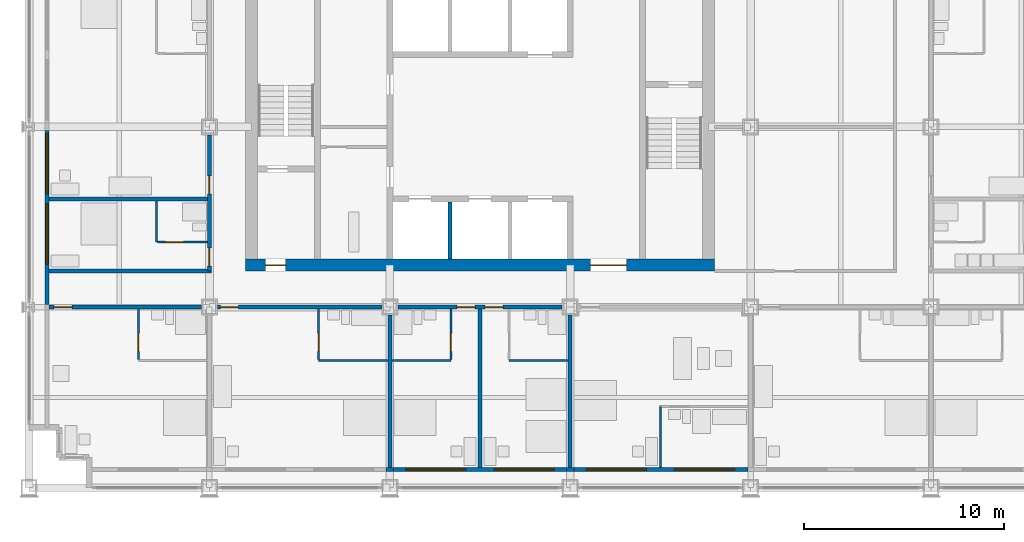
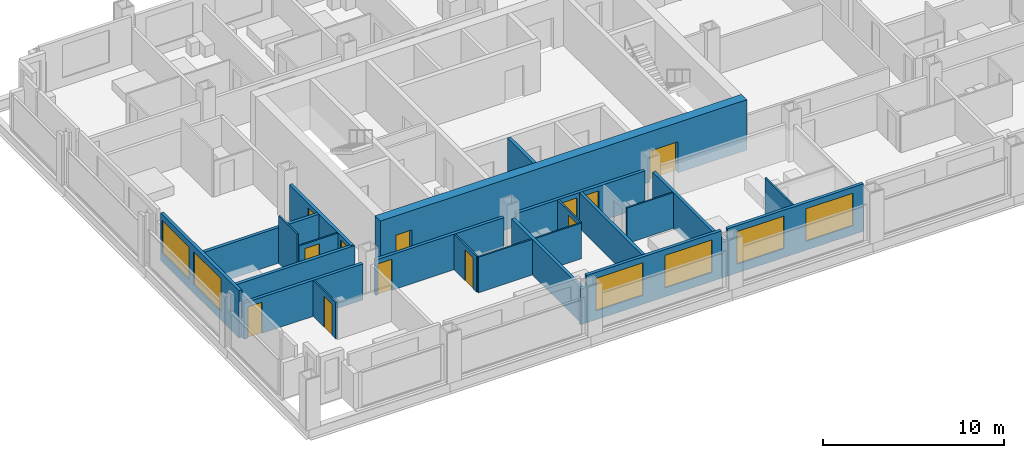
# One storey, part 10 of 18: 25 walls, 12 doors, 6 windows, 18 openings.
"""IFC4 building model written with IfcOpenShell, lengths in metres."""

from ifc_helpers import new_model, si_unit, direction, frame, frame_2d, origin, place, context, subcontext, project, spatial, rectangle, extrude, material, layer, layer_set, type_object, element, fill, save


model = new_model("IFC4")

# Units and contexts
model_context = context("Model", 3, precision=1e-05, world=origin(), true_north=direction((0.0, 1.0)))
body_context = subcontext(model_context, "Body", "Model", "MODEL_VIEW")
ifc_project = project(units=[si_unit("LENGTHUNIT", "METRE"), si_unit("AREAUNIT", "SQUARE_METRE"), si_unit("VOLUMEUNIT", "CUBIC_METRE"), si_unit("PLANEANGLEUNIT", "RADIAN"), si_unit("MASSUNIT", "GRAM", prefix="KILO")], contexts=[model_context])

# Site, building, storey
site_placement = place(None, origin())
site = spatial("IfcSite", under=ifc_project, at=site_placement, CompositionType="ELEMENT")
building_placement = place(site_placement, origin())
building = spatial("IfcBuilding", under=site, at=building_placement, Name="Loomwork Tower", CompositionType="ELEMENT")
storey_placement = place(building_placement, frame((0.0, 0.0, 62.0)))
storey = spatial("IfcBuildingStorey", under=building, at=storey_placement, Name="L15", CompositionType="ELEMENT", Elevation=62.0)

# Wall, openings, doors
ifc_material_1 = material(Name="Concrete 14000 psi (97 MPa)", Category="concrete")
ifc_layer_1 = layer(ifc_material_1, 0.60009765625)
ifc_layer_set_1 = layer_set([ifc_layer_1], Name="Core shear wall 600")
wall_type_1 = type_object("IfcWallType", Name="Core shear wall 600", PredefinedType="SHEAR", material=ifc_layer_set_1)
wall_1_placement = place(storey_placement, frame((10.800048828125, 11.10009765625, 0.0), z_axis=(0.0, 0.0, 1.0), x_axis=(1.0, 0.0, 0.0)))
wall_1 = element("IfcWall", 1, at=wall_1_placement, inside=storey, type_object=wall_type_1, Name="Core wall south L15", PredefinedType="SHEAR", context=body_context, shape_type="SweptSolid", body=[
    extrude(rectangle(XDim=23.39990234375, YDim=0.60009765625, at=frame_2d((11.699951171875, 0.0))), origin(), (0.0, 0.0, 1.0), 3.39990234375),
])
opening_1_placement = place(wall_1_placement, frame((1.0, 0.0, 0.0)))
opening_1 = element("IfcOpeningElement", 2, at=opening_1_placement, cuts=wall_1, Name="Opening D4", PredefinedType="OPENING", context=body_context, shape_type="SweptSolid", body=[
    extrude(rectangle(XDim=1.0, YDim=2.10009765625, at=frame_2d((0.5, 1.050048828125))), frame((0.0, 0.31005859375, 0.0), z_axis=(0.0, -1.0, 0.0), x_axis=(1.0, 0.0, 0.0)), (0.0, 0.0, 1.0), 0.6201171875),
])
opening_2_placement = place(wall_1_placement, frame((17.199951171875, 0.0, 0.0)))
opening_2 = element("IfcOpeningElement", 3, at=opening_2_placement, cuts=wall_1, Name="Opening D6", PredefinedType="OPENING", context=body_context, shape_type="SweptSolid", body=[
    extrude(rectangle(XDim=1.800048828125, YDim=2.10009765625, at=frame_2d((0.89990234375, 1.050048828125))), frame((0.0, 0.31005859375, 0.0), z_axis=(0.0, -1.0, 0.0), x_axis=(1.0, 0.0, 0.0)), (0.0, 0.0, 1.0), 0.6201171875),
])
ifc_material_2 = material(Name="Hollow metal door and frame")
door_type_1 = type_object("IfcDoorType", Name="Lobby passage double door 1800", OperationType="DOUBLE_DOOR_SINGLE_SWING", PredefinedType="DOOR", material=ifc_material_2)
door_1_placement = place(opening_2_placement, origin())
door_1 = element("IfcDoor", 4, at=door_1_placement, inside=storey, type_object=door_type_1, Name="Lobby passage door south", OperationType="DOUBLE_DOOR_SINGLE_SWING", OverallHeight=2.10009765625, OverallWidth=1.800048828125, PredefinedType="DOOR", context=body_context, shape_type="SweptSolid", body=[
    extrude(rectangle(XDim=1.800048828125, YDim=2.10009765625, at=frame_2d((0.89990234375, 1.050048828125))), frame((0.0, 0.02490234375, 0.0), z_axis=(0.0, -1.0, 0.0), x_axis=(1.0, 0.0, 0.0)), (0.0, 0.0, 1.0), 0.050048828125),
])
fill(opening_2, door_1)
ifc_material_3 = material(Name="Hollow metal door and frame")
door_type_2 = type_object("IfcDoorType", Name="Stair door 1000", OperationType="SINGLE_SWING_RIGHT", PredefinedType="DOOR", material=ifc_material_3)
door_2_placement = place(opening_1_placement, origin())
door_2 = element("IfcDoor", 5, at=door_2_placement, inside=storey, type_object=door_type_2, Name="Stair A vestibule door", OperationType="SINGLE_SWING_LEFT", OverallHeight=2.10009765625, OverallWidth=1.0, PredefinedType="DOOR", context=body_context, shape_type="SweptSolid", body=[
    extrude(rectangle(XDim=1.0, YDim=2.10009765625, at=frame_2d((0.5, 1.050048828125))), frame((0.0, 0.02490234375, 0.0), z_axis=(0.0, -1.0, 0.0), x_axis=(1.0, 0.0, 0.0)), (0.0, 0.0, 1.0), 0.050048828125),
])
fill(opening_1, door_2)

# Wall, opening, door
ifc_material_4 = material(Name="Gypsum board on steel studs, one-hour", Category="steel")
ifc_layer_2 = layer(ifc_material_4, 0.199951171875)
ifc_layer_set_2 = layer_set([ifc_layer_2], Name="Corridor wall 200")
wall_type_2 = type_object("IfcWallType", Name="Corridor wall 200", PredefinedType="PARTITIONING", material=ifc_layer_set_2)
wall_2_placement = place(storey_placement, frame((1.0, 9.0, 0.0), z_axis=(0.0, 0.0, 1.0), x_axis=(1.0, 0.0, 0.0)))
wall_2 = element("IfcWall", 6, at=wall_2_placement, inside=storey, type_object=wall_type_2, Name="South corridor wall 1", PredefinedType="PARTITIONING", context=body_context, shape_type="SweptSolid", body=[
    extrude(rectangle(XDim=7.60009765625, YDim=0.199951171875, at=frame_2d((3.800048828125, 0.0))), origin(), (0.0, 0.0, 1.0), 2.43798828125),
])
opening_3_placement = place(wall_2_placement, frame((0.25, 0.0, 0.0)))
opening_3 = element("IfcOpeningElement", 7, at=opening_3_placement, cuts=wall_2, Name="Opening D1", PredefinedType="OPENING", context=body_context, shape_type="SweptSolid", body=[
    extrude(rectangle(XDim=0.89990234375, YDim=2.10009765625, at=frame_2d((0.449951171875, 1.050048828125))), frame((0.0, 0.10986328125, 0.0), z_axis=(0.0, -1.0, 0.0), x_axis=(1.0, 0.0, 0.0)), (0.0, 0.0, 1.0), 0.219970703125),
])
ifc_material_5 = material(Name="Hollow metal door and frame")
door_type_3 = type_object("IfcDoorType", Name="Guest room entry door 900", OperationType="SINGLE_SWING_LEFT", PredefinedType="DOOR", material=ifc_material_5)
door_3_placement = place(opening_3_placement, frame((0.89990234375, 0.0, 0.0), z_axis=(0.0, 0.0, 1.0), x_axis=(-1.0, 0.0, 0.0)))
door_3 = element("IfcDoor", 8, at=door_3_placement, inside=storey, type_object=door_type_3, Name="Guest room entry door L15 1", OperationType="SINGLE_SWING_RIGHT", OverallHeight=2.10009765625, OverallWidth=0.89990234375, PredefinedType="DOOR", context=body_context, shape_type="SweptSolid", body=[
    extrude(rectangle(XDim=0.89990234375, YDim=2.10009765625, at=frame_2d((0.449951171875, 1.050048828125))), frame((0.0, 0.02490234375, 0.0), z_axis=(0.0, -1.0, 0.0), x_axis=(1.0, 0.0, 0.0)), (0.0, 0.0, 1.0), 0.050048828125),
])
fill(opening_3, door_3)

wall_3_placement = place(storey_placement, frame((9.39990234375, 9.0, 0.0), z_axis=(0.0, 0.0, 1.0), x_axis=(1.0, 0.0, 0.0)))
wall_3 = element("IfcWall", 9, at=wall_3_placement, inside=storey, type_object=wall_type_2, Name="South corridor wall 2", PredefinedType="PARTITIONING", context=body_context, shape_type="SweptSolid", body=[
    extrude(rectangle(XDim=8.2001953125, YDim=0.199951171875, at=frame_2d((4.10009765625, 0.0))), origin(), (0.0, 0.0, 1.0), 2.405029296875),
])
opening_4_placement = place(wall_3_placement, frame((0.14990234375, 0.0, 0.0)))
opening_4 = element("IfcOpeningElement", 10, at=opening_4_placement, cuts=wall_3, Name="Opening D1", PredefinedType="OPENING", context=body_context, shape_type="SweptSolid", body=[
    extrude(rectangle(XDim=0.89990234375, YDim=2.10009765625, at=frame_2d((0.449951171875, 1.050048828125))), frame((0.0, 0.10986328125, 0.0), z_axis=(0.0, -1.0, 0.0), x_axis=(1.0, 0.0, 0.0)), (0.0, 0.0, 1.0), 0.219970703125),
])
door_4_placement = place(opening_4_placement, frame((0.89990234375, 0.0, 0.0), z_axis=(0.0, 0.0, 1.0), x_axis=(-1.0, 0.0, 0.0)))
door_4 = element("IfcDoor", 11, at=door_4_placement, inside=storey, type_object=door_type_3, Name="Guest room entry door L15 2", OperationType="SINGLE_SWING_RIGHT", OverallHeight=2.10009765625, OverallWidth=0.89990234375, PredefinedType="DOOR", context=body_context, shape_type="SweptSolid", body=[
    extrude(rectangle(XDim=0.89990234375, YDim=2.10009765625, at=frame_2d((0.449951171875, 1.050048828125))), frame((0.0, 0.02490234375, 0.0), z_axis=(0.0, -1.0, 0.0), x_axis=(1.0, 0.0, 0.0)), (0.0, 0.0, 1.0), 0.050048828125),
])
fill(opening_4, door_4)

# Wall, openings, doors
wall_4_placement = place(storey_placement, frame((18.39990234375, 9.0, 0.0), z_axis=(0.0, 0.0, 1.0), x_axis=(1.0, 0.0, 0.0)))
wall_4 = element("IfcWall", 12, at=wall_4_placement, inside=storey, type_object=wall_type_2, Name="South corridor wall 3", PredefinedType="PARTITIONING", context=body_context, shape_type="SweptSolid", body=[
    extrude(rectangle(XDim=8.2001953125, YDim=0.199951171875, at=frame_2d((4.10009765625, 0.0))), origin(), (0.0, 0.0, 1.0), 2.405029296875),
])
opening_5_placement = place(wall_4_placement, frame((2.949951171875, 0.0, 0.0)))
opening_5 = element("IfcOpeningElement", 13, at=opening_5_placement, cuts=wall_4, Name="Opening D1", PredefinedType="OPENING", context=body_context, shape_type="SweptSolid", body=[
    extrude(rectangle(XDim=0.89990234375, YDim=2.10009765625, at=frame_2d((0.449951171875, 1.050048828125))), frame((0.0, 0.10986328125, 0.0), z_axis=(0.0, -1.0, 0.0), x_axis=(1.0, 0.0, 0.0)), (0.0, 0.0, 1.0), 0.219970703125),
])
opening_6_placement = place(wall_4_placement, frame((4.35009765625, 0.0, 0.0)))
opening_6 = element("IfcOpeningElement", 14, at=opening_6_placement, cuts=wall_4, Name="Opening D1", PredefinedType="OPENING", context=body_context, shape_type="SweptSolid", body=[
    extrude(rectangle(XDim=0.89990234375, YDim=2.10009765625, at=frame_2d((0.449951171875, 1.050048828125))), frame((0.0, 0.10986328125, 0.0), z_axis=(0.0, -1.0, 0.0), x_axis=(1.0, 0.0, 0.0)), (0.0, 0.0, 1.0), 0.219970703125),
])
door_5_placement = place(opening_5_placement, frame((0.89990234375, 0.0, 0.0), z_axis=(0.0, 0.0, 1.0), x_axis=(-1.0, 0.0, 0.0)))
door_5 = element("IfcDoor", 15, at=door_5_placement, inside=storey, type_object=door_type_3, Name="Guest room entry door L15 3", OperationType="SINGLE_SWING_LEFT", OverallHeight=2.10009765625, OverallWidth=0.89990234375, PredefinedType="DOOR", context=body_context, shape_type="SweptSolid", body=[
    extrude(rectangle(XDim=0.89990234375, YDim=2.10009765625, at=frame_2d((0.449951171875, 1.050048828125))), frame((0.0, 0.02490234375, 0.0), z_axis=(0.0, -1.0, 0.0), x_axis=(1.0, 0.0, 0.0)), (0.0, 0.0, 1.0), 0.050048828125),
])
fill(opening_5, door_5)
door_6_placement = place(opening_6_placement, frame((0.89990234375, 0.0, 0.0), z_axis=(0.0, 0.0, 1.0), x_axis=(-1.0, 0.0, 0.0)))
door_6 = element("IfcDoor", 16, at=door_6_placement, inside=storey, type_object=door_type_3, Name="Guest room entry door L15 4", OperationType="SINGLE_SWING_RIGHT", OverallHeight=2.10009765625, OverallWidth=0.89990234375, PredefinedType="DOOR", context=body_context, shape_type="SweptSolid", body=[
    extrude(rectangle(XDim=0.89990234375, YDim=2.10009765625, at=frame_2d((0.449951171875, 1.050048828125))), frame((0.0, 0.02490234375, 0.0), z_axis=(0.0, -1.0, 0.0), x_axis=(1.0, 0.0, 0.0)), (0.0, 0.0, 1.0), 0.050048828125),
])
fill(opening_6, door_6)

wall_5_placement = place(storey_placement, frame((9.0, 10.800048828125, 0.0), z_axis=(0.0, 0.0, 1.0), x_axis=(0.0, 1.0, 0.0)))
wall_5 = element("IfcWall", 17, at=wall_5_placement, inside=storey, type_object=wall_type_2, Name="West corridor wall 1", PredefinedType="PARTITIONING", context=body_context, shape_type="SweptSolid", body=[
    extrude(rectangle(XDim=6.800048828125, YDim=0.199951171875, at=frame_2d((3.39990234375, 0.0))), origin(), (0.0, 0.0, 1.0), 2.405029296875),
])
opening_7_placement = place(wall_5_placement, frame((0.25, 0.0, 0.0)))
opening_7 = element("IfcOpeningElement", 18, at=opening_7_placement, cuts=wall_5, Name="Opening D1", PredefinedType="OPENING", context=body_context, shape_type="SweptSolid", body=[
    extrude(rectangle(XDim=0.89990234375, YDim=2.10009765625, at=frame_2d((0.449951171875, 1.050048828125))), frame((0.0, 0.10986328125, 0.0), z_axis=(0.0, -1.0, 0.0), x_axis=(1.0, 0.0, 0.0)), (0.0, 0.0, 1.0), 0.219970703125),
])
opening_8_placement = place(wall_5_placement, frame((3.85009765625, 0.0, 0.0)))
opening_8 = element("IfcOpeningElement", 19, at=opening_8_placement, cuts=wall_5, Name="Opening D1", PredefinedType="OPENING", context=body_context, shape_type="SweptSolid", body=[
    extrude(rectangle(XDim=0.89990234375, YDim=2.10009765625, at=frame_2d((0.449951171875, 1.050048828125))), frame((0.0, 0.10986328125, 0.0), z_axis=(0.0, -1.0, 0.0), x_axis=(1.0, 0.0, 0.0)), (0.0, 0.0, 1.0), 0.219970703125),
])
door_7_placement = place(opening_7_placement, origin())
door_7 = element("IfcDoor", 20, at=door_7_placement, inside=storey, type_object=door_type_3, Name="Guest room entry door L15 16", OperationType="SINGLE_SWING_LEFT", OverallHeight=2.10009765625, OverallWidth=0.89990234375, PredefinedType="DOOR", context=body_context, shape_type="SweptSolid", body=[
    extrude(rectangle(XDim=0.89990234375, YDim=2.10009765625, at=frame_2d((0.449951171875, 1.050048828125))), frame((0.0, 0.02490234375, 0.0), z_axis=(0.0, -1.0, 0.0), x_axis=(1.0, 0.0, 0.0)), (0.0, 0.0, 1.0), 0.050048828125),
])
fill(opening_7, door_7)
door_8_placement = place(opening_8_placement, origin())
door_8 = element("IfcDoor", 21, at=door_8_placement, inside=storey, type_object=door_type_3, Name="Guest room entry door L15 17", OperationType="SINGLE_SWING_LEFT", OverallHeight=2.10009765625, OverallWidth=0.89990234375, PredefinedType="DOOR", context=body_context, shape_type="SweptSolid", body=[
    extrude(rectangle(XDim=0.89990234375, YDim=2.10009765625, at=frame_2d((0.449951171875, 1.050048828125))), frame((0.0, 0.02490234375, 0.0), z_axis=(0.0, -1.0, 0.0), x_axis=(1.0, 0.0, 0.0)), (0.0, 0.0, 1.0), 0.050048828125),
])
fill(opening_8, door_8)

# Wall
wall_6_placement = place(storey_placement, frame((1.0, 10.800048828125, 0.0), z_axis=(0.0, 0.0, 1.0), x_axis=(1.0, 0.0, 0.0)))
element("IfcWall", 22, at=wall_6_placement, inside=storey, type_object=wall_type_2, Name="West band end wall S", PredefinedType="PARTITIONING", context=body_context, shape_type="SweptSolid", body=[
    extrude(rectangle(XDim=8.10009765625, YDim=0.199951171875, at=frame_2d((4.050048828125, 0.0))), origin(), (0.0, 0.0, 1.0), 2.404052734375),
])

# Wall, opening, door
ifc_material_6 = material(Name="Cement board on steel studs", Category="steel")
ifc_layer_3 = layer(ifc_material_6, 0.10009765625)
ifc_layer_set_3 = layer_set([ifc_layer_3], Name="En-suite partition 100")
wall_type_3 = type_object("IfcWallType", Name="En-suite partition 100", PredefinedType="PARTITIONING", material=ifc_layer_set_3)
wall_7_placement = place(storey_placement, frame((5.449951171875, 8.89990234375, 0.0), z_axis=(0.0, 0.0, 1.0), x_axis=(0.0, -1.0, 0.0)))
wall_7 = element("IfcWall", 23, at=wall_7_placement, inside=storey, type_object=wall_type_3, Name="En-suite side wall L15 room 1", PredefinedType="PARTITIONING", context=body_context, shape_type="SweptSolid", body=[
    extrude(rectangle(XDim=2.5, YDim=0.10009765625, at=frame_2d((1.25, 0.0))), origin(), (0.0, 0.0, 1.0), 2.43798828125),
])
opening_9_placement = place(wall_7_placement, frame((1.199951171875, 0.0, 0.0)))
opening_9 = element("IfcOpeningElement", 24, at=opening_9_placement, cuts=wall_7, Name="Opening D3", PredefinedType="OPENING", context=body_context, shape_type="SweptSolid", body=[
    extrude(rectangle(XDim=0.89990234375, YDim=2.10009765625, at=frame_2d((0.449951171875, 1.050048828125))), frame((0.0, 0.06005859375, 0.0), z_axis=(0.0, -1.0, 0.0), x_axis=(1.0, 0.0, 0.0)), (0.0, 0.0, 1.0), 0.1201171875),
])
ifc_material_7 = material(Name="Hollow metal door and frame")
door_type_4 = type_object("IfcDoorType", Name="Accessible en-suite door 900", OperationType="SLIDING_TO_LEFT", PredefinedType="DOOR", material=ifc_material_7)
door_9_placement = place(opening_9_placement, origin())
door_9 = element("IfcDoor", 25, at=door_9_placement, inside=storey, type_object=door_type_4, Name="Accessible en-suite door room 1", OperationType="SLIDING_TO_LEFT", OverallHeight=2.10009765625, OverallWidth=0.89990234375, PredefinedType="DOOR", context=body_context, shape_type="SweptSolid", body=[
    extrude(rectangle(XDim=0.89990234375, YDim=2.10009765625, at=frame_2d((0.449951171875, 1.050048828125))), frame((0.0, 0.02490234375, 0.0), z_axis=(0.0, -1.0, 0.0), x_axis=(1.0, 0.0, 0.0)), (0.0, 0.0, 1.0), 0.050048828125),
])
fill(opening_9, door_9)

# Wall
wall_8_placement = place(storey_placement, frame((14.449951171875, 6.35009765625, 0.0), z_axis=(0.0, 0.0, 1.0), x_axis=(1.0, 0.0, 0.0)))
element("IfcWall", 26, at=wall_8_placement, inside=storey, type_object=wall_type_3, Name="En-suite wall L15 room 2", PredefinedType="PARTITIONING", context=body_context, shape_type="SweptSolid", body=[
    extrude(rectangle(XDim=3.449951171875, YDim=0.10009765625, at=frame_2d((1.72509765625, 0.0))), origin(), (0.0, 0.0, 1.0), 2.404052734375),
])

# Wall, opening, door
wall_9_placement = place(storey_placement, frame((14.449951171875, 8.89990234375, 0.0), z_axis=(0.0, 0.0, 1.0), x_axis=(0.0, -1.0, 0.0)))
wall_9 = element("IfcWall", 27, at=wall_9_placement, inside=storey, type_object=wall_type_3, Name="En-suite side wall L15 room 2", PredefinedType="PARTITIONING", context=body_context, shape_type="SweptSolid", body=[
    extrude(rectangle(XDim=2.5, YDim=0.10009765625, at=frame_2d((1.25, 0.0))), origin(), (0.0, 0.0, 1.0), 2.404052734375),
])
opening_10_placement = place(wall_9_placement, frame((1.199951171875, 0.0, 0.0)))
opening_10 = element("IfcOpeningElement", 28, at=opening_10_placement, cuts=wall_9, Name="Opening D2", PredefinedType="OPENING", context=body_context, shape_type="SweptSolid", body=[
    extrude(rectangle(XDim=0.89990234375, YDim=2.10009765625, at=frame_2d((0.449951171875, 1.050048828125))), frame((0.0, 0.06005859375, 0.0), z_axis=(0.0, -1.0, 0.0), x_axis=(1.0, 0.0, 0.0)), (0.0, 0.0, 1.0), 0.1201171875),
])
ifc_material_8 = material(Name="Hollow metal door and frame")
door_type_5 = type_object("IfcDoorType", Name="En-suite door 900", OperationType="SINGLE_SWING_LEFT", PredefinedType="DOOR", material=ifc_material_8)
door_10_placement = place(opening_10_placement, origin())
door_10 = element("IfcDoor", 29, at=door_10_placement, inside=storey, type_object=door_type_5, Name="En-suite door room 2", OperationType="SINGLE_SWING_RIGHT", OverallHeight=2.10009765625, OverallWidth=0.89990234375, PredefinedType="DOOR", context=body_context, shape_type="SweptSolid", body=[
    extrude(rectangle(XDim=0.89990234375, YDim=2.10009765625, at=frame_2d((0.449951171875, 1.050048828125))), frame((0.0, 0.02490234375, 0.0), z_axis=(0.0, -1.0, 0.0), x_axis=(1.0, 0.0, 0.0)), (0.0, 0.0, 1.0), 0.050048828125),
])
fill(opening_10, door_10)

# Wall
wall_10_placement = place(storey_placement, frame((18.10009765625, 6.35009765625, 0.0), z_axis=(0.0, 0.0, 1.0), x_axis=(1.0, 0.0, 0.0)))
element("IfcWall", 30, at=wall_10_placement, inside=storey, type_object=wall_type_3, Name="En-suite wall L15 room 3", PredefinedType="PARTITIONING", context=body_context, shape_type="SweptSolid", body=[
    extrude(rectangle(XDim=2.949951171875, YDim=0.10009765625, at=frame_2d((1.47509765625, 0.0))), origin(), (0.0, 0.0, 1.0), 2.404052734375),
])

# Wall, opening, door
wall_11_placement = place(storey_placement, frame((21.050048828125, 8.89990234375, 0.0), z_axis=(0.0, 0.0, 1.0), x_axis=(0.0, -1.0, 0.0)))
wall_11 = element("IfcWall", 31, at=wall_11_placement, inside=storey, type_object=wall_type_3, Name="En-suite side wall L15 room 3", PredefinedType="PARTITIONING", context=body_context, shape_type="SweptSolid", body=[
    extrude(rectangle(XDim=2.5, YDim=0.10009765625, at=frame_2d((1.25, 0.0))), origin(), (0.0, 0.0, 1.0), 2.404052734375),
])
opening_11_placement = place(wall_11_placement, frame((1.199951171875, 0.0, 0.0)))
opening_11 = element("IfcOpeningElement", 32, at=opening_11_placement, cuts=wall_11, Name="Opening D2", PredefinedType="OPENING", context=body_context, shape_type="SweptSolid", body=[
    extrude(rectangle(XDim=0.89990234375, YDim=2.10009765625, at=frame_2d((0.449951171875, 1.050048828125))), frame((0.0, 0.06005859375, 0.0), z_axis=(0.0, -1.0, 0.0), x_axis=(1.0, 0.0, 0.0)), (0.0, 0.0, 1.0), 0.1201171875),
])
door_11_placement = place(opening_11_placement, frame((0.89990234375, 0.0, 0.0), z_axis=(0.0, 0.0, 1.0), x_axis=(-1.0, 0.0, 0.0)))
door_11 = element("IfcDoor", 33, at=door_11_placement, inside=storey, type_object=door_type_5, Name="En-suite door room 3", OperationType="SINGLE_SWING_LEFT", OverallHeight=2.10009765625, OverallWidth=0.89990234375, PredefinedType="DOOR", context=body_context, shape_type="SweptSolid", body=[
    extrude(rectangle(XDim=0.89990234375, YDim=2.10009765625, at=frame_2d((0.449951171875, 1.050048828125))), frame((0.0, 0.02490234375, 0.0), z_axis=(0.0, -1.0, 0.0), x_axis=(1.0, 0.0, 0.0)), (0.0, 0.0, 1.0), 0.050048828125),
])
fill(opening_11, door_11)

# Walls
wall_12_placement = place(storey_placement, frame((23.949951171875, 6.35009765625, 0.0), z_axis=(0.0, 0.0, 1.0), x_axis=(1.0, 0.0, 0.0)))
element("IfcWall", 34, at=wall_12_placement, inside=storey, type_object=wall_type_3, Name="En-suite wall L15 room 4", PredefinedType="PARTITIONING", context=body_context, shape_type="SweptSolid", body=[
    extrude(rectangle(XDim=2.949951171875, YDim=0.10009765625, at=frame_2d((1.47509765625, 0.0))), origin(), (0.0, 0.0, 1.0), 2.404052734375),
])
wall_13_placement = place(storey_placement, frame((31.5, 4.050048828125, 0.0), z_axis=(0.0, 0.0, 1.0), x_axis=(0.0, -1.0, 0.0)))
element("IfcWall", 35, at=wall_13_placement, inside=storey, type_object=wall_type_3, Name="Spa bathroom side wall L15 room 5", PredefinedType="PARTITIONING", context=body_context, shape_type="SweptSolid", body=[
    extrude(rectangle(XDim=3.050048828125, YDim=0.10009765625, at=frame_2d((1.52490234375, 0.0))), origin(), (0.0, 0.0, 1.0), 3.199951171875),
])
wall_14_placement = place(storey_placement, frame((6.35009765625, 12.25, 0.0), z_axis=(0.0, 0.0, 1.0), x_axis=(0.0, 1.0, 0.0)))
element("IfcWall", 36, at=wall_14_placement, inside=storey, type_object=wall_type_3, Name="En-suite wall L15 room 16", PredefinedType="PARTITIONING", context=body_context, shape_type="SweptSolid", body=[
    extrude(rectangle(XDim=2.050048828125, YDim=0.10009765625, at=frame_2d((1.02490234375, 0.0))), origin(), (0.0, 0.0, 1.0), 3.199951171875),
])

# Wall, opening, door
wall_15_placement = place(storey_placement, frame((8.89990234375, 12.25, 0.0), z_axis=(0.0, 0.0, 1.0), x_axis=(-1.0, 0.0, 0.0)))
wall_15 = element("IfcWall", 37, at=wall_15_placement, inside=storey, type_object=wall_type_3, Name="En-suite side wall L15 room 16", PredefinedType="PARTITIONING", context=body_context, shape_type="SweptSolid", body=[
    extrude(rectangle(XDim=2.5, YDim=0.10009765625, at=frame_2d((1.25, 0.0))), origin(), (0.0, 0.0, 1.0), 2.404052734375),
])
opening_12_placement = place(wall_15_placement, frame((1.199951171875, 0.0, 0.0)))
opening_12 = element("IfcOpeningElement", 38, at=opening_12_placement, cuts=wall_15, Name="Opening D2", PredefinedType="OPENING", context=body_context, shape_type="SweptSolid", body=[
    extrude(rectangle(XDim=0.89990234375, YDim=2.10009765625, at=frame_2d((0.449951171875, 1.050048828125))), frame((0.0, 0.06005859375, 0.0), z_axis=(0.0, -1.0, 0.0), x_axis=(1.0, 0.0, 0.0)), (0.0, 0.0, 1.0), 0.1201171875),
])
door_12_placement = place(opening_12_placement, frame((0.89990234375, 0.0, 0.0), z_axis=(0.0, 0.0, 1.0), x_axis=(-1.0, 0.0, 0.0)))
door_12 = element("IfcDoor", 39, at=door_12_placement, inside=storey, type_object=door_type_5, Name="En-suite door room 16", OperationType="SINGLE_SWING_LEFT", OverallHeight=2.10009765625, OverallWidth=0.89990234375, PredefinedType="DOOR", context=body_context, shape_type="SweptSolid", body=[
    extrude(rectangle(XDim=0.89990234375, YDim=2.10009765625, at=frame_2d((0.449951171875, 1.050048828125))), frame((0.0, 0.02490234375, 0.0), z_axis=(0.0, -1.0, 0.0), x_axis=(1.0, 0.0, 0.0)), (0.0, 0.0, 1.0), 0.050048828125),
])
fill(opening_12, door_12)

# Walls
ifc_material_9 = material(Name="Gypsum board on steel studs, acoustic", Category="steel")
ifc_layer_4 = layer(ifc_material_9, 0.199951171875)
ifc_layer_set_4 = layer_set([ifc_layer_4], Name="Guest room party wall 200")
wall_type_4 = type_object("IfcWallType", Name="Guest room party wall 200", PredefinedType="PARTITIONING", material=ifc_layer_set_4)
wall_16_placement = place(storey_placement, frame((18.0, 8.60009765625, 0.0), z_axis=(0.0, 0.0, 1.0), x_axis=(0.0, -1.0, 0.0)))
element("IfcWall", 40, at=wall_16_placement, inside=storey, type_object=wall_type_4, Name="Guest room party wall S 18", PredefinedType="PARTITIONING", context=body_context, shape_type="SweptSolid", body=[
    extrude(rectangle(XDim=7.60009765625, YDim=0.199951171875, at=frame_2d((3.800048828125, 0.0))), origin(), (0.0, 0.0, 1.0), 2.405029296875),
])
wall_17_placement = place(storey_placement, frame((22.5, 8.89990234375, 0.0), z_axis=(0.0, 0.0, 1.0), x_axis=(0.0, -1.0, 0.0)))
element("IfcWall", 41, at=wall_17_placement, inside=storey, type_object=wall_type_4, Name="Guest room party wall S 22.5", PredefinedType="PARTITIONING", context=body_context, shape_type="SweptSolid", body=[
    extrude(rectangle(XDim=7.89990234375, YDim=0.199951171875, at=frame_2d((3.949951171875, 0.0))), origin(), (0.0, 0.0, 1.0), 2.404052734375),
])
wall_18_placement = place(storey_placement, frame((27.0, 8.60009765625, 0.0), z_axis=(0.0, 0.0, 1.0), x_axis=(0.0, -1.0, 0.0)))
element("IfcWall", 42, at=wall_18_placement, inside=storey, type_object=wall_type_4, Name="Guest room party wall S 27", PredefinedType="PARTITIONING", context=body_context, shape_type="SweptSolid", body=[
    extrude(rectangle(XDim=7.60009765625, YDim=0.199951171875, at=frame_2d((3.800048828125, 0.0))), origin(), (0.0, 0.0, 1.0), 2.405029296875),
])
wall_19_placement = place(storey_placement, frame((8.89990234375, 14.39990234375, 0.0), z_axis=(0.0, 0.0, 1.0), x_axis=(-1.0, 0.0, 0.0)))
element("IfcWall", 43, at=wall_19_placement, inside=storey, type_object=wall_type_4, Name="Guest room party wall W 14.4", PredefinedType="PARTITIONING", context=body_context, shape_type="SweptSolid", body=[
    extrude(rectangle(XDim=7.89990234375, YDim=0.199951171875, at=frame_2d((3.949951171875, 0.0))), origin(), (0.0, 0.0, 1.0), 2.404052734375),
])
ifc_material_10 = material(Name="Insulated steel stud wall with gypsum lining", Category="steel")
ifc_layer_5 = layer(ifc_material_10, 0.199951171875)
ifc_layer_set_5 = layer_set([ifc_layer_5], Name="Inner skin wall 200")
wall_type_5 = type_object("IfcWallType", Name="Inner skin wall 200", PredefinedType="SOLIDWALL", material=ifc_layer_set_5)
wall_20_placement = place(storey_placement, frame((17.80615234375, 0.89990234375, 0.0), z_axis=(0.0, 0.0, 1.0), x_axis=(1.0, 0.0, 0.0)))
element("IfcWall", 44, at=wall_20_placement, inside=storey, type_object=wall_type_5, Name="Inner skin wall S bay 4", PredefinedType="SOLIDWALL", context=body_context, shape_type="SweptSolid", body=[
    extrude(rectangle(XDim=0.3876953125, YDim=0.199951171875, at=frame_2d((0.19384765625, 0.0))), origin(), (0.0, 0.0, 1.0), 2.404052734375),
])

# Wall, openings, windows
wall_21_placement = place(storey_placement, frame((18.19384765625, 0.89990234375, 0.0), z_axis=(0.0, 0.0, 1.0), x_axis=(1.0, 0.0, 0.0)))
wall_21 = element("IfcWall", 45, at=wall_21_placement, inside=storey, type_object=wall_type_5, Name="Inner skin wall S bay 5", PredefinedType="SOLIDWALL", context=body_context, shape_type="SweptSolid", body=[
    extrude(rectangle(XDim=8.6123046875, YDim=0.199951171875, at=frame_2d((4.30615234375, 0.0))), origin(), (0.0, 0.0, 1.0), 3.199951171875),
])
opening_13_placement = place(wall_21_placement, frame((0.606201171875, 0.0, 0.60009765625)))
opening_13 = element("IfcOpeningElement", 46, at=opening_13_placement, cuts=wall_21, Name="Opening CH1", PredefinedType="OPENING", context=body_context, shape_type="SweptSolid", body=[
    extrude(rectangle(XDim=3.0, YDim=2.199951171875, at=frame_2d((1.5, 1.10009765625))), frame((0.0, 0.10986328125, 0.0), z_axis=(0.0, -1.0, 0.0), x_axis=(1.0, 0.0, 0.0)), (0.0, 0.0, 1.0), 0.219970703125),
])
opening_14_placement = place(wall_21_placement, frame((5.006103515625, 0.0, 0.60009765625)))
opening_14 = element("IfcOpeningElement", 47, at=opening_14_placement, cuts=wall_21, Name="Opening CH1", PredefinedType="OPENING", context=body_context, shape_type="SweptSolid", body=[
    extrude(rectangle(XDim=3.0, YDim=2.199951171875, at=frame_2d((1.5, 1.10009765625))), frame((0.0, 0.10986328125, 0.0), z_axis=(0.0, -1.0, 0.0), x_axis=(1.0, 0.0, 0.0)), (0.0, 0.0, 1.0), 0.219970703125),
])
ifc_material_11 = material(Name="Aluminium frame with clear insulated glass", Category="aluminium")
window_type = type_object("IfcWindowType", Name="Chicago window 3000", PartitioningType="TRIPLE_PANEL_VERTICAL", PredefinedType="WINDOW", material=ifc_material_11)
window_1_placement = place(opening_13_placement, origin())
window_1 = element("IfcWindow", 48, at=window_1_placement, inside=storey, type_object=window_type, Name="Chicago window L15 bay 3", OverallHeight=2.199951171875, OverallWidth=3.0, PartitioningType="TRIPLE_PANEL_VERTICAL", PredefinedType="WINDOW", context=body_context, shape_type="SweptSolid", body=[
    extrude(rectangle(XDim=3.0, YDim=2.199951171875, at=frame_2d((1.5, 1.10009765625))), frame((0.0, 0.030029296875, 0.0), z_axis=(0.0, -1.0, 0.0), x_axis=(1.0, 0.0, 0.0)), (0.0, 0.0, 1.0), 0.06005859375),
])
fill(opening_13, window_1)
window_2_placement = place(opening_14_placement, origin())
window_2 = element("IfcWindow", 49, at=window_2_placement, inside=storey, type_object=window_type, Name="Chicago window L15 bay 3", OverallHeight=2.199951171875, OverallWidth=3.0, PartitioningType="TRIPLE_PANEL_VERTICAL", PredefinedType="WINDOW", context=body_context, shape_type="SweptSolid", body=[
    extrude(rectangle(XDim=3.0, YDim=2.199951171875, at=frame_2d((1.5, 1.10009765625))), frame((0.0, 0.030029296875, 0.0), z_axis=(0.0, -1.0, 0.0), x_axis=(1.0, 0.0, 0.0)), (0.0, 0.0, 1.0), 0.06005859375),
])
fill(opening_14, window_2)

# Wall
wall_22_placement = place(storey_placement, frame((26.80615234375, 0.89990234375, 0.0), z_axis=(0.0, 0.0, 1.0), x_axis=(1.0, 0.0, 0.0)))
element("IfcWall", 50, at=wall_22_placement, inside=storey, type_object=wall_type_5, Name="Inner skin wall S bay 6", PredefinedType="SOLIDWALL", context=body_context, shape_type="SweptSolid", body=[
    extrude(rectangle(XDim=0.3876953125, YDim=0.199951171875, at=frame_2d((0.19384765625, 0.0))), origin(), (0.0, 0.0, 1.0), 2.404052734375),
])

# Wall, openings, windows
wall_23_placement = place(storey_placement, frame((27.19384765625, 0.89990234375, 0.0), z_axis=(0.0, 0.0, 1.0), x_axis=(1.0, 0.0, 0.0)))
wall_23 = element("IfcWall", 51, at=wall_23_placement, inside=storey, type_object=wall_type_5, Name="Inner skin wall S bay 7", PredefinedType="SOLIDWALL", context=body_context, shape_type="SweptSolid", body=[
    extrude(rectangle(XDim=8.670654296875, YDim=0.199951171875, at=frame_2d((4.33544921875, 0.0))), origin(), (0.0, 0.0, 1.0), 3.199951171875),
])
opening_15_placement = place(wall_23_placement, frame((0.606201171875, 0.0, 0.60009765625)))
opening_15 = element("IfcOpeningElement", 52, at=opening_15_placement, cuts=wall_23, Name="Opening CH1", PredefinedType="OPENING", context=body_context, shape_type="SweptSolid", body=[
    extrude(rectangle(XDim=3.0, YDim=2.199951171875, at=frame_2d((1.5, 1.10009765625))), frame((0.0, 0.10986328125, 0.0), z_axis=(0.0, -1.0, 0.0), x_axis=(1.0, 0.0, 0.0)), (0.0, 0.0, 1.0), 0.219970703125),
])
opening_16_placement = place(wall_23_placement, frame((5.006103515625, 0.0, 0.60009765625)))
opening_16 = element("IfcOpeningElement", 53, at=opening_16_placement, cuts=wall_23, Name="Opening CH1", PredefinedType="OPENING", context=body_context, shape_type="SweptSolid", body=[
    extrude(rectangle(XDim=3.0, YDim=2.199951171875, at=frame_2d((1.5, 1.10009765625))), frame((0.0, 0.10986328125, 0.0), z_axis=(0.0, -1.0, 0.0), x_axis=(1.0, 0.0, 0.0)), (0.0, 0.0, 1.0), 0.219970703125),
])
window_3_placement = place(opening_15_placement, origin())
window_3 = element("IfcWindow", 54, at=window_3_placement, inside=storey, type_object=window_type, Name="Chicago window L15 bay 4", OverallHeight=2.199951171875, OverallWidth=3.0, PartitioningType="TRIPLE_PANEL_VERTICAL", PredefinedType="WINDOW", context=body_context, shape_type="SweptSolid", body=[
    extrude(rectangle(XDim=3.0, YDim=2.199951171875, at=frame_2d((1.5, 1.10009765625))), frame((0.0, 0.030029296875, 0.0), z_axis=(0.0, -1.0, 0.0), x_axis=(1.0, 0.0, 0.0)), (0.0, 0.0, 1.0), 0.06005859375),
])
fill(opening_15, window_3)
window_4_placement = place(opening_16_placement, origin())
window_4 = element("IfcWindow", 55, at=window_4_placement, inside=storey, type_object=window_type, Name="Chicago window L15 bay 4", OverallHeight=2.199951171875, OverallWidth=3.0, PartitioningType="TRIPLE_PANEL_VERTICAL", PredefinedType="WINDOW", context=body_context, shape_type="SweptSolid", body=[
    extrude(rectangle(XDim=3.0, YDim=2.199951171875, at=frame_2d((1.5, 1.10009765625))), frame((0.0, 0.030029296875, 0.0), z_axis=(0.0, -1.0, 0.0), x_axis=(1.0, 0.0, 0.0)), (0.0, 0.0, 1.0), 0.06005859375),
])
fill(opening_16, window_4)

wall_24_placement = place(storey_placement, frame((0.89990234375, 9.13525390625, 0.0), z_axis=(0.0, 0.0, 1.0), x_axis=(0.0, 1.0, 0.0)))
wall_24 = element("IfcWall", 56, at=wall_24_placement, inside=storey, type_object=wall_type_5, Name="Inner skin wall W bay 5", PredefinedType="SOLIDWALL", context=body_context, shape_type="SweptSolid", body=[
    extrude(rectangle(XDim=8.6708984375, YDim=0.199951171875, at=frame_2d((4.33544921875, 0.0))), origin(), (0.0, 0.0, 1.0), 3.199951171875),
])
opening_17_placement = place(wall_24_placement, frame((2.0146484375, 0.0, 0.60009765625)))
opening_17 = element("IfcOpeningElement", 57, at=opening_17_placement, cuts=wall_24, Name="Opening CH1", PredefinedType="OPENING", context=body_context, shape_type="SweptSolid", body=[
    extrude(rectangle(XDim=3.0, YDim=2.199951171875, at=frame_2d((1.5, 1.10009765625))), frame((0.0, 0.10986328125, 0.0), z_axis=(0.0, -1.0, 0.0), x_axis=(1.0, 0.0, 0.0)), (0.0, 0.0, 1.0), 0.219970703125),
])
opening_18_placement = place(wall_24_placement, frame((5.5146484375, 0.0, 0.60009765625)))
opening_18 = element("IfcOpeningElement", 58, at=opening_18_placement, cuts=wall_24, Name="Opening CH1", PredefinedType="OPENING", context=body_context, shape_type="SweptSolid", body=[
    extrude(rectangle(XDim=3.0, YDim=2.199951171875, at=frame_2d((1.5, 1.10009765625))), frame((0.0, 0.10986328125, 0.0), z_axis=(0.0, -1.0, 0.0), x_axis=(1.0, 0.0, 0.0)), (0.0, 0.0, 1.0), 0.219970703125),
])
window_5_placement = place(opening_17_placement, origin())
window_5 = element("IfcWindow", 59, at=window_5_placement, inside=storey, type_object=window_type, Name="Chicago window L15 bay 13", OverallHeight=2.199951171875, OverallWidth=3.0, PartitioningType="TRIPLE_PANEL_VERTICAL", PredefinedType="WINDOW", context=body_context, shape_type="SweptSolid", body=[
    extrude(rectangle(XDim=3.0, YDim=2.199951171875, at=frame_2d((1.5, 1.10009765625))), frame((0.0, 0.030029296875, 0.0), z_axis=(0.0, -1.0, 0.0), x_axis=(1.0, 0.0, 0.0)), (0.0, 0.0, 1.0), 0.06005859375),
])
fill(opening_17, window_5)
window_6_placement = place(opening_18_placement, origin())
window_6 = element("IfcWindow", 60, at=window_6_placement, inside=storey, type_object=window_type, Name="Chicago window L15 bay 13", OverallHeight=2.199951171875, OverallWidth=3.0, PartitioningType="TRIPLE_PANEL_VERTICAL", PredefinedType="WINDOW", context=body_context, shape_type="SweptSolid", body=[
    extrude(rectangle(XDim=3.0, YDim=2.199951171875, at=frame_2d((1.5, 1.10009765625))), frame((0.0, 0.030029296875, 0.0), z_axis=(0.0, -1.0, 0.0), x_axis=(1.0, 0.0, 0.0)), (0.0, 0.0, 1.0), 0.06005859375),
])
fill(opening_18, window_6)

# Wall
ifc_material_12 = material(Name="Concrete 14000 psi (97 MPa)", Category="concrete")
ifc_layer_6 = layer(ifc_material_12, 0.199951171875)
ifc_layer_set_6 = layer_set([ifc_layer_6], Name="Lift shaft wall 200")
wall_type_6 = type_object("IfcWallType", Name="Lift shaft wall 200", PredefinedType="SHEAR", material=ifc_layer_set_6)
wall_25_placement = place(storey_placement, frame((21.0, 11.39990234375, 0.0), z_axis=(0.0, 0.0, 1.0), x_axis=(0.0, 1.0, 0.0)))
element("IfcWall", 61, at=wall_25_placement, inside=storey, type_object=wall_type_6, Name="Lift shaft separation wall south 1 L15", PredefinedType="SHEAR", context=body_context, shape_type="SweptSolid", body=[
    extrude(rectangle(XDim=2.85009765625, YDim=0.199951171875, at=frame_2d((1.425048828125, 0.0))), origin(), (0.0, 0.0, 1.0), 3.39990234375),
])

save(model, "model.ifc")
